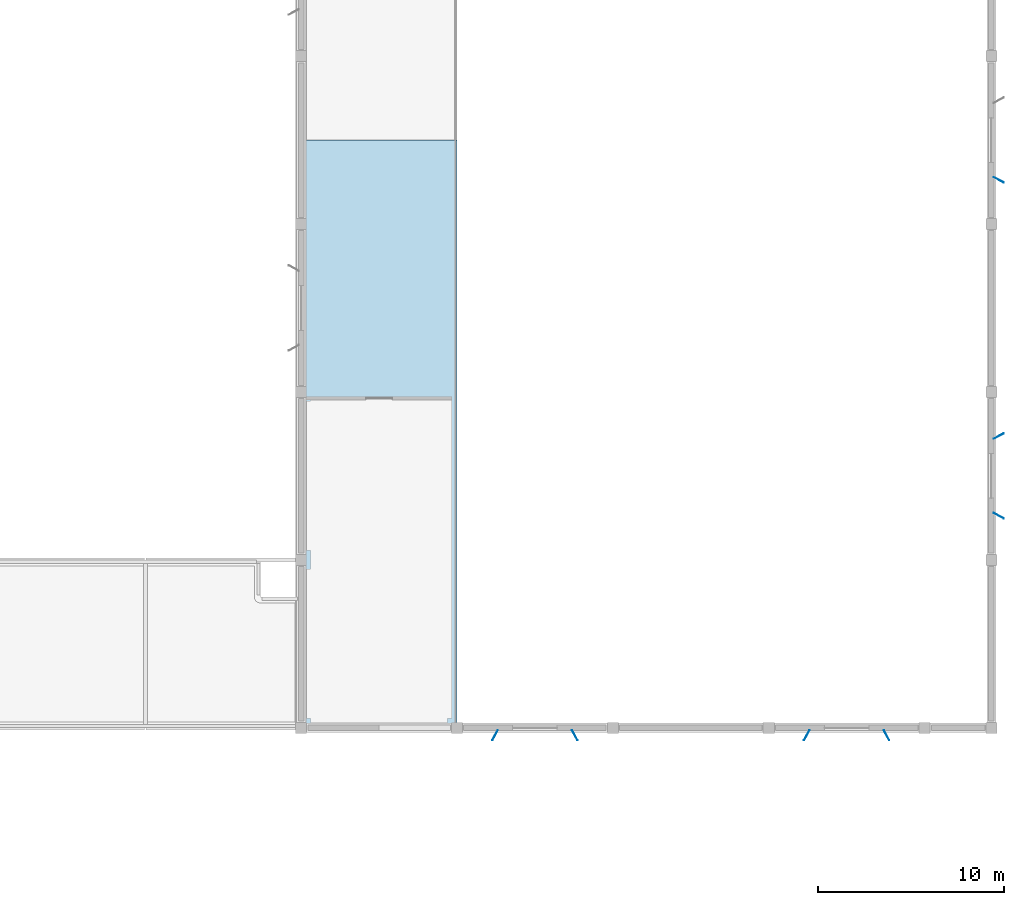
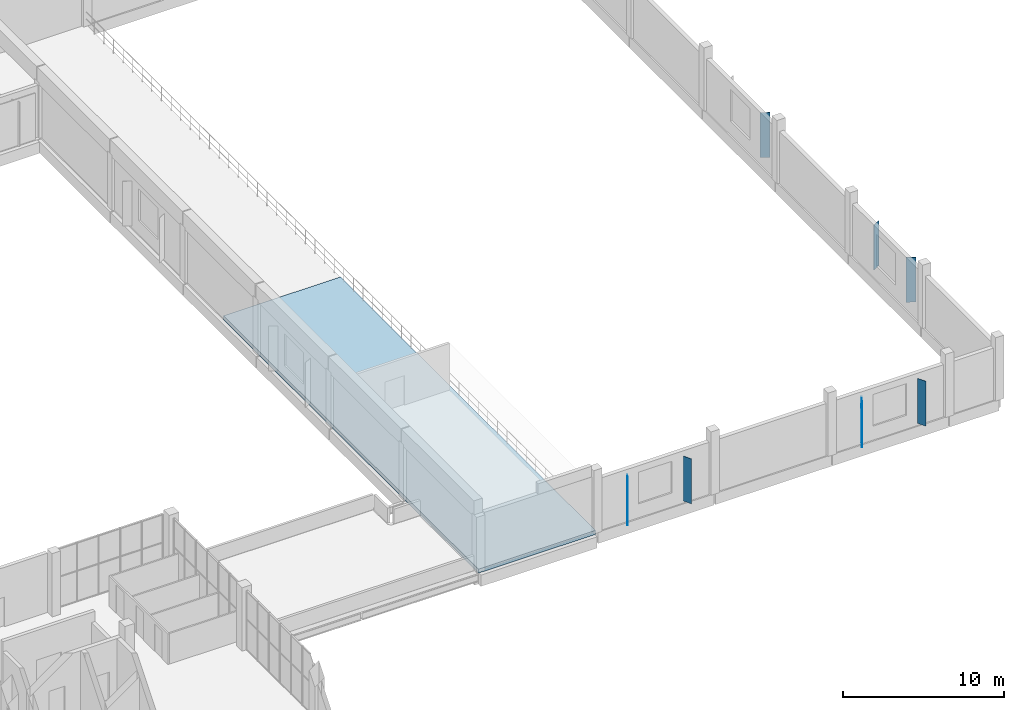
# One storey, part 54 of 80: 7 plates, 1 slab.
"""IFC4 building model written with IfcOpenShell, lengths in metres."""

from ifc_helpers import new_model, si_unit, direction, frame, origin, origin_2d, place, context, subcontext, project, spatial, polyline, rectangle, outline, extrude, material, layer, layer_set, type_object, element, save


model = new_model("IFC4")

# Units and contexts
model_context = context("Model", 3, precision=1e-05, world=origin(), true_north=direction((0.0, 1.0)))
body_context = subcontext(model_context, "Body", "Model", "MODEL_VIEW")
ifc_project = project(units=[si_unit("LENGTHUNIT", "METRE"), si_unit("AREAUNIT", "SQUARE_METRE"), si_unit("VOLUMEUNIT", "CUBIC_METRE"), si_unit("PLANEANGLEUNIT", "RADIAN"), si_unit("MASSUNIT", "GRAM", prefix="KILO")], contexts=[model_context])

# Site, building, storey
site_placement = place(None, origin())
site = spatial("IfcSite", under=ifc_project, at=site_placement, CompositionType="ELEMENT")
building_placement = place(site_placement, origin())
building = spatial("IfcBuilding", under=site, at=building_placement, Name="Khurvash Pelagic Aquarium", CompositionType="ELEMENT")
storey_placement = place(building_placement, frame((0.0, 0.0, 10.800048828125)))
storey = spatial("IfcBuildingStorey", under=building, at=storey_placement, Name="L02", CompositionType="ELEMENT", Elevation=10.800048828125)

# Slab
ifc_material_1 = material(Name="Concrete C40/50", Category="concrete")
ifc_layer_1 = layer(ifc_material_1, 0.300048828125)
ifc_layer_set_1 = layer_set([ifc_layer_1], Name="Concrete C40/50")
slab_type = type_object("IfcSlabType", Name="FS-300", PredefinedType="FLOOR", material=ifc_layer_set_1)
slab_placement = place(storey_placement, frame((0.0, 0.0, -0.300048828125)))
element("IfcSlab", 1, at=slab_placement, inside=storey, type_object=slab_type, Name="L02 Structural Floor Slab FS-300 V1_OVER.1", PredefinedType="FLOOR", context=body_context, shape_type="SweptSolid", body=[
    extrude(outline(polyline([(134.39990234375, 20.699951171875), (134.39990234375, 52.375), (126.0, 52.375), (126.0, 20.699951171875), (134.39990234375, 20.699951171875)])), origin(), (0.0, 0.0, 1.0), 0.300048828125),
])

# Plates
ifc_material_2 = material(Name="Anodised aluminium AW-5005", Category="aluminium")
ifc_layer_2 = layer(ifc_material_2, 0.02392578125)
ifc_layer_set_2 = layer_set([ifc_layer_2], Name="Anodised aluminium AW-5005")
plate_type = type_object("IfcPlateType", Name="SP-01", PredefinedType="SHEET", material=ifc_layer_set_2)
for number, where, z_axis, x_axis, name in (
    (2, (163.597900390625, 32.125, 0.14990234375), (0.0, 0.0, 1.0), (0.882947592859, -0.469471562786, 0.0), "L02 Parametric Folded Aluminium Solar Screen Fin SP-01 0139"),
    (3, (163.597900390625, 36.425048828125, 0.14990234375), (0.0, 0.0, 1.0), (0.882947592859, 0.469471562786, 0.0), "L02 Parametric Folded Aluminium Solar Screen Fin SP-01 0140"),
    (4, (163.597900390625, 50.22509765625, 0.14990234375), (0.0, 0.0, 1.0), (0.882947592859, -0.469471562786, 0.0), "L02 Parametric Folded Aluminium Solar Screen Fin SP-01 0141"),
    (5, (136.449951171875, 20.302001953125, 0.14990234375), (0.0, 0.0, 1.0), (-0.469471562786, -0.882947592859, 0.0), "L02 Parametric Folded Aluminium Solar Screen Fin SP-01 0145"),
    (6, (140.75, 20.302001953125, 0.14990234375), (0.0, 0.0, 1.0), (0.469471562786, -0.882947592859, 0.0), "L02 Parametric Folded Aluminium Solar Screen Fin SP-01 0146"),
    (7, (153.25, 20.302001953125, 0.14990234375), (0.0, 0.0, 1.0), (-0.469471562786, -0.882947592859, 0.0), "L02 Parametric Folded Aluminium Solar Screen Fin SP-01 0147"),
    (8, (157.550048828125, 20.302001953125, 0.14990234375), (0.0, 0.0, 1.0), (0.469471562786, -0.882947592859, 0.0), "L02 Parametric Folded Aluminium Solar Screen Fin SP-01 0148"),
):
    element("IfcPlate", number, at=place(storey_placement, frame(where, z_axis=z_axis, x_axis=x_axis)), inside=storey, type_object=plate_type, Name=name, PredefinedType="SHEET", context=body_context, shape_type="SweptSolid", body=[
        extrude(rectangle(XDim=0.6201171875, YDim=0.02392578125, at=origin_2d()), origin(), (0.0, 0.0, 1.0), 3.39990234375),
    ])

save(model, "model.ifc")
